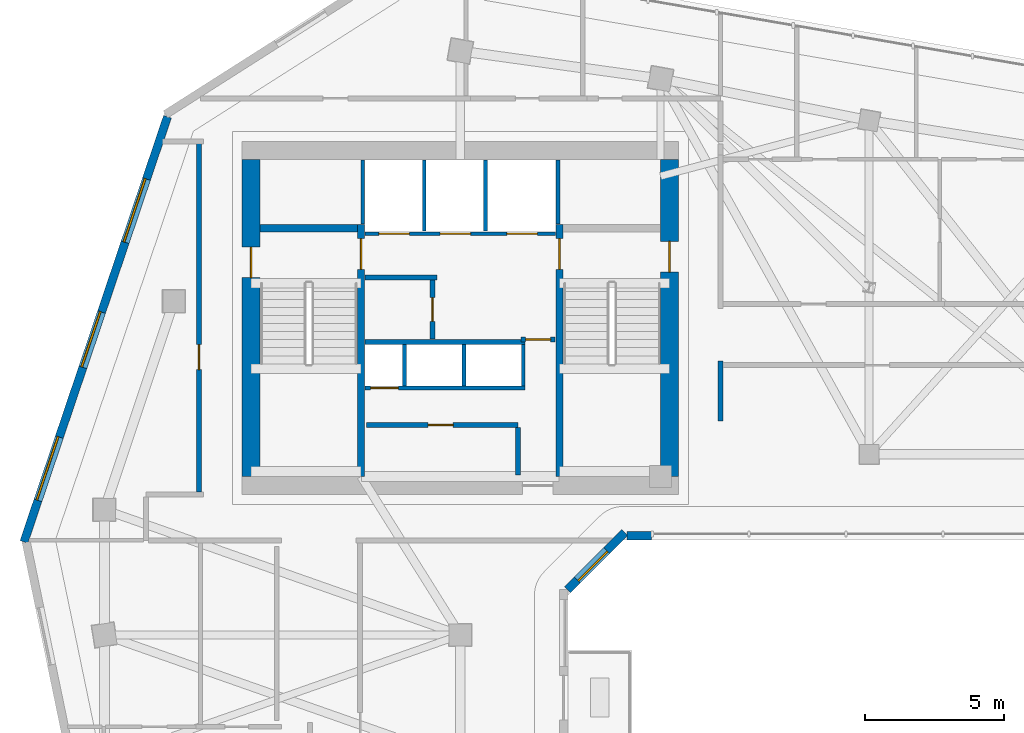
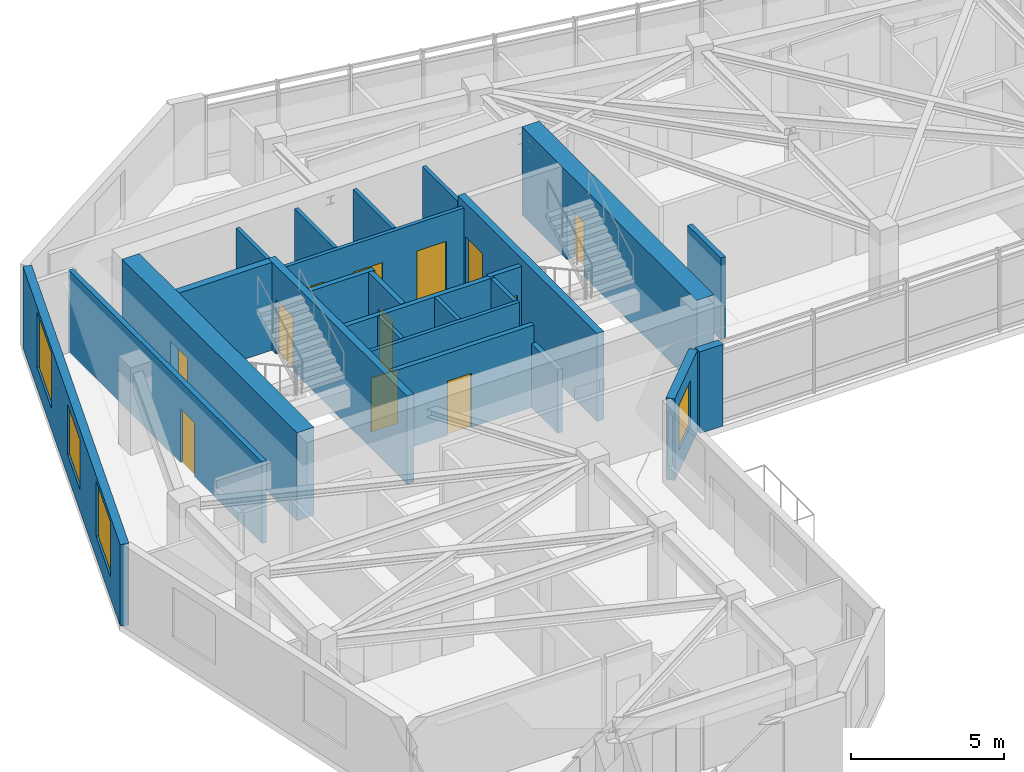
# One storey, part 5 of 10: 25 walls, 12 doors, 4 windows, 16 openings.
"""IFC4 building model written with IfcOpenShell, lengths in metres."""

from ifc_helpers import new_model, si_unit, direction, frame, frame_2d, origin, place, context, subcontext, project, spatial, rectangle, extrude, source, transform, mapped, material, layer, layer_set, type_object, element, fill, save


model = new_model("IFC4")

# Units and contexts
model_context = context("Model", 3, precision=1e-05, world=origin(), true_north=direction((0.0, 1.0)))
body_context = subcontext(model_context, "Body", "Model", "MODEL_VIEW")
ifc_project = project(units=[si_unit("LENGTHUNIT", "METRE"), si_unit("AREAUNIT", "SQUARE_METRE"), si_unit("VOLUMEUNIT", "CUBIC_METRE"), si_unit("PLANEANGLEUNIT", "RADIAN"), si_unit("MASSUNIT", "GRAM", prefix="KILO")], contexts=[model_context])

# Site, building, storey
site_placement = place(None, origin())
site = spatial("IfcSite", under=ifc_project, at=site_placement, CompositionType="ELEMENT")
building_placement = place(site_placement, origin())
building = spatial("IfcBuilding", under=site, at=building_placement, Name="Calvemar Wedge Station Tower", CompositionType="ELEMENT")
storey_placement = place(building_placement, frame((0.0, 0.0, 200.89990234375)))
storey = spatial("IfcBuildingStorey", under=building, at=storey_placement, Name="L50", CompositionType="ELEMENT", Elevation=200.89990234375)

# Wall, opening, door
ifc_material_1 = material(Name="Concrete C50", Category="concrete")
ifc_layer_1 = layer(ifc_material_1, 0.260009765625)
ifc_layer_set_1 = layer_set([ifc_layer_1], Name="Concrete C50")
wall_type_1 = type_object("IfcWallType", Name="SW-CORE-260", PredefinedType="SHEAR", material=ifc_layer_set_1)
wall_1_placement = place(storey_placement, frame((20.22998046875, 34.199951171875, 0.0), z_axis=(0.0, 0.0, 1.0), x_axis=(0.0, 1.0, 0.0)))
wall_1 = element("IfcWall", 1, at=wall_1_placement, inside=storey, type_object=wall_type_1, Name="Storey L50 Core Shear Wall SPINE-W", PredefinedType="SHEAR", context=body_context, shape_type="SweptSolid", body=[
    extrude(rectangle(XDim=9.06005859375, YDim=0.260009765625, at=frame_2d((4.530029296875, 0.0))), origin(), (0.0, 0.0, 1.0), 3.5),
])
shared_shape_1 = source(origin(), body_context, "Body", "SweptSolid", [
    extrude(rectangle(XDim=1.10009765625, YDim=2.14990234375, at=frame_2d((0.550048828125, 1.074951171875))), frame((0.0, 0.14013671875, 0.0), z_axis=(0.0, -1.0, 0.0), x_axis=(1.0, 0.0, 0.0)), (0.0, 0.0, 1.0), 0.280029296875),
])
opening_1_placement = place(wall_1_placement, frame((7.449951171875, 0.0, 0.0)))
opening_1 = element("IfcOpeningElement", 2, at=opening_1_placement, cuts=wall_1, Name="Opening FD-90", PredefinedType="OPENING", context=body_context, shape_type="MappedRepresentation", body=[
    mapped(shared_shape_1, transform((0.0, 0.0, 0.0), scale=1.0)),
])
ifc_material_2 = material(Name="Galvanized fire-rated steel door leaf P-90", Category="steel")
door_type_1 = type_object("IfcDoorType", Name="DR-FD90-1100", OperationType="NOTDEFINED", PredefinedType="DOOR", material=ifc_material_2)
shared_shape_2 = source(origin(), body_context, "Body", "SweptSolid", [
    extrude(rectangle(XDim=1.10009765625, YDim=2.14990234375, at=frame_2d((0.550048828125, 1.074951171875))), frame((0.0, 0.02490234375, 0.0), z_axis=(0.0, -1.0, 0.0), x_axis=(1.0, 0.0, 0.0)), (0.0, 0.0, 1.0), 0.050048828125),
])
door_1_placement = place(opening_1_placement, origin())
door_1 = element("IfcDoor", 3, at=door_1_placement, inside=storey, type_object=door_type_1, Name="L50 FF Lobby to Stair ST-C1 Door", OperationType="SINGLE_SWING_LEFT", OverallHeight=2.14990234375, OverallWidth=1.10009765625, PredefinedType="DOOR", context=body_context, shape_type="MappedRepresentation", body=[
    mapped(shared_shape_2, transform((0.0, 0.0, 0.0), scale=1.0)),
])
fill(opening_1, door_1)

wall_2_placement = place(storey_placement, frame((27.3701171875, 34.199951171875, 0.0), z_axis=(0.0, 0.0, 1.0), x_axis=(0.0, 1.0, 0.0)))
wall_2 = element("IfcWall", 4, at=wall_2_placement, inside=storey, type_object=wall_type_1, Name="Storey L50 Core Shear Wall SPINE-E", PredefinedType="SHEAR", context=body_context, shape_type="SweptSolid", body=[
    extrude(rectangle(XDim=9.06005859375, YDim=0.260009765625, at=frame_2d((4.530029296875, 0.0))), origin(), (0.0, 0.0, 1.0), 3.5),
])
opening_2_placement = place(wall_2_placement, frame((7.449951171875, 0.0, 0.0)))
opening_2 = element("IfcOpeningElement", 5, at=opening_2_placement, cuts=wall_2, Name="Opening FD-90", PredefinedType="OPENING", context=body_context, shape_type="MappedRepresentation", body=[
    mapped(shared_shape_1, transform((0.0, 0.0, 0.0), scale=1.0)),
])
door_2_placement = place(opening_2_placement, origin())
door_2 = element("IfcDoor", 6, at=door_2_placement, inside=storey, type_object=door_type_1, Name="L50 FF Lobby to Stair ST-C2 Door", OperationType="SINGLE_SWING_RIGHT", OverallHeight=2.14990234375, OverallWidth=1.10009765625, PredefinedType="DOOR", context=body_context, shape_type="MappedRepresentation", body=[
    mapped(shared_shape_2, transform((0.0, 0.0, 0.0), scale=1.0)),
])
fill(opening_2, door_2)

# Wall
wall_3_placement = place(storey_placement, frame((16.60009765625, 43.1298828125, 0.0), z_axis=(0.0, 0.0, 1.0), x_axis=(1.0, 0.0, 0.0)))
element("IfcWall", 7, at=wall_3_placement, inside=storey, type_object=wall_type_1, Name="Storey L50 Core Shear Wall STC1-N", PredefinedType="SHEAR", context=body_context, shape_type="SweptSolid", body=[
    extrude(rectangle(XDim=3.5, YDim=0.260009765625, at=frame_2d((1.75, 0.0))), origin(), (0.0, 0.0, 1.0), 3.5),
])

# Wall, opening, door
ifc_material_3 = material(Name="Concrete C60", Category="concrete")
ifc_layer_2 = layer(ifc_material_3, 0.64990234375)
ifc_layer_set_2 = layer_set([ifc_layer_2], Name="Concrete C60")
wall_type_2 = type_object("IfcWallType", Name="SW-CORE-650", PredefinedType="SHEAR", material=ifc_layer_set_2)
wall_4_placement = place(storey_placement, frame((16.27490234375, 34.199951171875, 0.0), z_axis=(0.0, 0.0, 1.0), x_axis=(0.0, 1.0, 0.0)))
wall_4 = element("IfcWall", 8, at=wall_4_placement, inside=storey, type_object=wall_type_2, Name="Storey L50 Core Shear Wall W", PredefinedType="SHEAR", context=body_context, shape_type="SweptSolid", body=[
    extrude(rectangle(XDim=11.400146484375, YDim=0.64990234375, at=frame_2d((5.7001953125, 0.0))), origin(), (0.0, 0.0, 1.0), 3.5),
])
shared_shape_3 = source(origin(), body_context, "Body", "SweptSolid", [
    extrude(rectangle(XDim=1.10009765625, YDim=2.14990234375, at=frame_2d((0.550048828125, 1.074951171875))), frame((0.0, 0.3349609375, 0.0), z_axis=(0.0, -1.0, 0.0), x_axis=(1.0, 0.0, 0.0)), (0.0, 0.0, 1.0), 0.669921875),
])
opening_3_placement = place(wall_4_placement, frame((7.14990234375, 0.0, 0.0)))
opening_3 = element("IfcOpeningElement", 9, at=opening_3_placement, cuts=wall_4, Name="Opening FD-90", PredefinedType="OPENING", context=body_context, shape_type="MappedRepresentation", body=[
    mapped(shared_shape_3, transform((0.0, 0.0, 0.0), scale=1.0)),
])
door_3_placement = place(opening_3_placement, origin())
door_3 = element("IfcDoor", 10, at=door_3_placement, inside=storey, type_object=door_type_1, Name="L50 West Corridor to Exit Stair ST-C1 Door", OperationType="SINGLE_SWING_LEFT", OverallHeight=2.14990234375, OverallWidth=1.10009765625, PredefinedType="DOOR", context=body_context, shape_type="MappedRepresentation", body=[
    mapped(shared_shape_2, transform((0.0, 0.0, 0.0), scale=1.0)),
])
fill(opening_3, door_3)

wall_5_placement = place(storey_placement, frame((31.324951171875, 34.199951171875, 0.0), z_axis=(0.0, 0.0, 1.0), x_axis=(0.0, 1.0, 0.0)))
wall_5 = element("IfcWall", 11, at=wall_5_placement, inside=storey, type_object=wall_type_2, Name="Storey L50 Core Shear Wall E", PredefinedType="SHEAR", context=body_context, shape_type="SweptSolid", body=[
    extrude(rectangle(XDim=11.400146484375, YDim=0.64990234375, at=frame_2d((5.7001953125, 0.0))), origin(), (0.0, 0.0, 1.0), 3.5),
])
opening_4_placement = place(wall_5_placement, frame((7.35009765625, 0.0, 0.0)))
opening_4 = element("IfcOpeningElement", 12, at=opening_4_placement, cuts=wall_5, Name="Opening FD-90", PredefinedType="OPENING", context=body_context, shape_type="MappedRepresentation", body=[
    mapped(shared_shape_3, transform((0.0, 0.0, 0.0), scale=1.0)),
])
door_4_placement = place(opening_4_placement, origin())
door_4 = element("IfcDoor", 13, at=door_4_placement, inside=storey, type_object=door_type_1, Name="L50 East Corridor to Exit Stair ST-C2 Door", OperationType="SINGLE_SWING_RIGHT", OverallHeight=2.14990234375, OverallWidth=1.10009765625, PredefinedType="DOOR", context=body_context, shape_type="MappedRepresentation", body=[
    mapped(shared_shape_2, transform((0.0, 0.0, 0.0), scale=1.0)),
])
fill(opening_4, door_4)

# Wall
ifc_material_4 = material(Name="Double-stud fire-rated corridor partition")
ifc_layer_3 = layer(ifc_material_4, 0.179931640625)
ifc_layer_set_3 = layer_set([ifc_layer_3], Name="Double-stud fire-rated corridor partition")
wall_type_3 = type_object("IfcWallType", Name="W-CORR-180", PredefinedType="PARTITIONING", material=ifc_layer_set_3)
wall_6_placement = place(storey_placement, frame((22.9599609375, 41.35009765625, 0.0), z_axis=(0.0, 0.0, 1.0), x_axis=(-1.0, 0.0, 0.0)))
element("IfcWall", 14, at=wall_6_placement, inside=storey, type_object=wall_type_3, Name="Storey L50 Interior Partition WL-L50-001", PredefinedType="PARTITIONING", context=body_context, shape_type="SweptSolid", body=[
    extrude(rectangle(XDim=2.580078125, YDim=0.179931640625, at=frame_2d((1.2900390625, 0.0))), origin(), (0.0, 0.0, 1.0), 3.25),
])

# Wall, opening, door
wall_7_placement = place(storey_placement, frame((22.800048828125, 41.256103515625, 0.0), z_axis=(0.0, 0.0, 1.0), x_axis=(0.0, -1.0, 0.0)))
wall_7 = element("IfcWall", 15, at=wall_7_placement, inside=storey, type_object=wall_type_3, Name="Storey L50 Interior Partition WL-L50-002", PredefinedType="PARTITIONING", context=body_context, shape_type="SweptSolid", body=[
    extrude(rectangle(XDim=2.106201171875, YDim=0.179931640625, at=frame_2d((1.05322265625, 0.0))), origin(), (0.0, 0.0, 1.0), 3.25),
])
shared_shape_4 = source(origin(), body_context, "Body", "SweptSolid", [
    extrude(rectangle(XDim=0.85009765625, YDim=2.14990234375, at=frame_2d((0.425048828125, 1.074951171875))), frame((0.0, 0.10009765625, 0.0), z_axis=(0.0, -1.0, 0.0), x_axis=(1.0, 0.0, 0.0)), (0.0, 0.0, 1.0), 0.199951171875),
])
opening_5_placement = place(wall_7_placement, frame((0.6279296875, 0.0, 0.0)))
opening_5 = element("IfcOpeningElement", 16, at=opening_5_placement, cuts=wall_7, Name="Opening FD-60S", PredefinedType="OPENING", context=body_context, shape_type="MappedRepresentation", body=[
    mapped(shared_shape_4, transform((0.0, 0.0, 0.0), scale=1.0)),
])
ifc_material_5 = material(Name="Fire-rated steel and hardwood service door EI 60", Category="steel")
door_type_2 = type_object("IfcDoorType", Name="DR-CORE-FD60-850", OperationType="NOTDEFINED", PredefinedType="DOOR", material=ifc_material_5)
shared_shape_5 = source(origin(), body_context, "Body", "SweptSolid", [
    extrude(rectangle(XDim=0.85009765625, YDim=2.14990234375, at=frame_2d((0.425048828125, 1.074951171875))), frame((0.0, 0.02490234375, 0.0), z_axis=(0.0, -1.0, 0.0), x_axis=(1.0, 0.0, 0.0)), (0.0, 0.0, 1.0), 0.050048828125),
])
door_5_placement = place(opening_5_placement, origin())
door_5 = element("IfcDoor", 17, at=door_5_placement, inside=storey, type_object=door_type_2, Name="L50 Core Electrical Switch Room Door", OperationType="SINGLE_SWING_RIGHT", OverallHeight=2.14990234375, OverallWidth=0.85009765625, PredefinedType="DOOR", context=body_context, shape_type="MappedRepresentation", body=[
    mapped(shared_shape_5, transform((0.0, 0.0, 0.0), scale=1.0)),
])
fill(opening_5, door_5)

wall_8_placement = place(storey_placement, frame((27.199951171875, 39.1298828125, 0.0), z_axis=(0.0, 0.0, 1.0), x_axis=(-1.0, 0.0, 0.0)))
wall_8 = element("IfcWall", 18, at=wall_8_placement, inside=storey, type_object=wall_type_3, Name="Storey L50 Interior Partition WL-L50-003", PredefinedType="PARTITIONING", context=body_context, shape_type="SweptSolid", body=[
    extrude(rectangle(XDim=1.2099609375, YDim=0.179931640625, at=frame_2d((0.60498046875, 0.0))), origin(), (0.0, 0.0, 1.0), 3.25),
])
shared_shape_6 = source(origin(), body_context, "Body", "SweptSolid", [
    extrude(rectangle(XDim=0.89990234375, YDim=2.14990234375, at=frame_2d((0.449951171875, 1.074951171875))), frame((0.0, 0.10009765625, 0.0), z_axis=(0.0, -1.0, 0.0), x_axis=(1.0, 0.0, 0.0)), (0.0, 0.0, 1.0), 0.199951171875),
])
opening_6_placement = place(wall_8_placement, frame((0.155029296875, 0.0, 0.0)))
opening_6 = element("IfcOpeningElement", 19, at=opening_6_placement, cuts=wall_8, Name="Opening FD-60", PredefinedType="OPENING", context=body_context, shape_type="MappedRepresentation", body=[
    mapped(shared_shape_6, transform((0.0, 0.0, 0.0), scale=1.0)),
])
ifc_material_6 = material(Name="Fire-rated acoustic timber-core entrance door EI 60", Category="wood")
door_type_3 = type_object("IfcDoorType", Name="DR-FD60-900", OperationType="NOTDEFINED", PredefinedType="DOOR", material=ifc_material_6)
shared_shape_7 = source(origin(), body_context, "Body", "SweptSolid", [
    extrude(rectangle(XDim=0.89990234375, YDim=2.14990234375, at=frame_2d((0.449951171875, 1.074951171875))), frame((0.0, 0.02490234375, 0.0), z_axis=(0.0, -1.0, 0.0), x_axis=(1.0, 0.0, 0.0)), (0.0, 0.0, 1.0), 0.050048828125),
])
door_6_placement = place(opening_6_placement, origin())
door_6 = element("IfcDoor", 20, at=door_6_placement, inside=storey, type_object=door_type_3, Name="L50 Core Service Lobby Door", OperationType="SINGLE_SWING_LEFT", OverallHeight=2.14990234375, OverallWidth=0.89990234375, PredefinedType="DOOR", context=body_context, shape_type="MappedRepresentation", body=[
    mapped(shared_shape_7, transform((0.0, 0.0, 0.0), scale=1.0)),
])
fill(opening_6, door_6)

wall_9_placement = place(storey_placement, frame((20.419921875, 36.050048828125, 0.0), z_axis=(0.0, 0.0, 1.0), x_axis=(1.0, 0.0, 0.0)))
wall_9 = element("IfcWall", 21, at=wall_9_placement, inside=storey, type_object=wall_type_3, Name="Storey L50 Interior Partition WL-L50-004", PredefinedType="PARTITIONING", context=body_context, shape_type="SweptSolid", body=[
    extrude(rectangle(XDim=5.4599609375, YDim=0.179931640625, at=frame_2d((2.72998046875, 0.0))), origin(), (0.0, 0.0, 1.0), 3.25),
])
opening_7_placement = place(wall_9_placement, frame((2.219482421875, 0.0, 0.0)))
opening_7 = element("IfcOpeningElement", 22, at=opening_7_placement, cuts=wall_9, Name="Opening FD-60", PredefinedType="OPENING", context=body_context, shape_type="MappedRepresentation", body=[
    mapped(shared_shape_6, transform((0.0, 0.0, 0.0), scale=1.0)),
])
door_7_placement = place(opening_7_placement, origin())
door_7 = element("IfcDoor", 23, at=door_7_placement, inside=storey, type_object=door_type_3, Name="L50 Parcel and Resident Store Door", OperationType="SINGLE_SWING_RIGHT", OverallHeight=2.14990234375, OverallWidth=0.89990234375, PredefinedType="DOOR", context=body_context, shape_type="MappedRepresentation", body=[
    mapped(shared_shape_7, transform((0.0, 0.0, 0.0), scale=1.0)),
])
fill(opening_7, door_7)

# Wall
wall_10_placement = place(storey_placement, frame((25.8798828125, 35.9560546875, 0.0), z_axis=(0.0, 0.0, 1.0), x_axis=(0.0, -1.0, 0.0)))
element("IfcWall", 24, at=wall_10_placement, inside=storey, type_object=wall_type_3, Name="Storey L50 Interior Partition WL-L50-005", PredefinedType="PARTITIONING", context=body_context, shape_type="SweptSolid", body=[
    extrude(rectangle(XDim=1.7060546875, YDim=0.179931640625, at=frame_2d((0.85302734375, 0.0))), origin(), (0.0, 0.0, 1.0), 2.5419921875),
])

# Wall, opening, door
wall_11_placement = place(storey_placement, frame((14.39990234375, 33.64404296875, 0.0), z_axis=(0.0, 0.0, 1.0), x_axis=(0.0, 1.0, 0.0)))
wall_11 = element("IfcWall", 25, at=wall_11_placement, inside=storey, type_object=wall_type_3, Name="Storey L50 Interior Partition WL-L50-011", PredefinedType="PARTITIONING", context=body_context, shape_type="SweptSolid", body=[
    extrude(rectangle(XDim=12.60595703125, YDim=0.179931640625, at=frame_2d((6.302978515625, 0.0))), origin(), (0.0, 0.0, 1.0), 3.25),
])
opening_8_placement = place(wall_11_placement, frame((4.399169921875, 0.0, 0.0)))
opening_8 = element("IfcOpeningElement", 26, at=opening_8_placement, cuts=wall_11, Name="Opening D-01", PredefinedType="OPENING", context=body_context, shape_type="MappedRepresentation", body=[
    mapped(shared_shape_6, transform((0.0, 0.0, 0.0), scale=1.0)),
])
ifc_material_7 = material(Name="Architectural hardwood acoustic swing door", Category="wood")
door_type_4 = type_object("IfcDoorType", Name="DR-INT-900", OperationType="NOTDEFINED", PredefinedType="DOOR", material=ifc_material_7)
shared_shape_8 = source(origin(), body_context, "Body", "SweptSolid", [
    extrude(rectangle(XDim=0.89990234375, YDim=2.14990234375, at=frame_2d((0.449951171875, 1.074951171875))), frame((0.0, 0.02490234375, 0.0), z_axis=(0.0, -1.0, 0.0), x_axis=(1.0, 0.0, 0.0)), (0.0, 0.0, 1.0), 0.050048828125),
])
door_8_placement = place(opening_8_placement, origin())
door_8 = element("IfcDoor", 27, at=door_8_placement, inside=storey, type_object=door_type_4, Name="L50 Resident Reading Lounge Door", OperationType="SINGLE_SWING_LEFT", OverallHeight=2.14990234375, OverallWidth=0.89990234375, PredefinedType="DOOR", context=body_context, shape_type="MappedRepresentation", body=[
    mapped(shared_shape_8, transform((0.0, 0.0, 0.0), scale=1.0)),
])
fill(opening_8, door_8)

# Wall
wall_12_placement = place(storey_placement, frame((33.14990234375, 38.360107421875, 0.0), z_axis=(0.0, 0.0, 1.0), x_axis=(0.0, -1.0, 0.0)))
element("IfcWall", 28, at=wall_12_placement, inside=storey, type_object=wall_type_3, Name="Storey L50 Interior Partition WL-L50-019", PredefinedType="PARTITIONING", context=body_context, shape_type="SweptSolid", body=[
    extrude(rectangle(XDim=2.16015625, YDim=0.179931640625, at=frame_2d((1.080078125, 0.0))), origin(), (0.0, 0.0, 1.0), 3.25),
])

# Wall, opening, window
ifc_material_8 = material(Name="Precast concrete C45", Category="concrete")
ifc_layer_4 = layer(ifc_material_8, 0.300048828125)
ifc_layer_set_4 = layer_set([ifc_layer_4], Name="Precast concrete C45")
wall_type_4 = type_object("IfcWallType", Name="W-EXT-GFRC-300", PredefinedType="SOLIDWALL", material=ifc_layer_set_4)
wall_13_placement = place(storey_placement, frame((27.652099609375, 30.1240234375, 0.0), z_axis=(0.0, 0.0, 1.0), x_axis=(0.707064797706, 0.707148762175, 0.0)))
wall_13 = element("IfcWall", 29, at=wall_13_placement, inside=storey, type_object=wall_type_4, Name="Storey L50 Bronze GFRC Exterior Wall 5", PredefinedType="SOLIDWALL", context=body_context, shape_type="SweptSolid", body=[
    extrude(rectangle(XDim=2.90771484375, YDim=0.300048828125, at=frame_2d((1.453857421875, 0.0))), origin(), (0.0, 0.0, 1.0), 3.25),
])
shared_shape_9 = source(origin(), body_context, "Body", "SweptSolid", [
    extrude(rectangle(XDim=1.5, YDim=1.800048828125, at=frame_2d((0.75, 0.89990234375))), frame((0.0, 0.16015625, 0.0), z_axis=(0.0, -1.0, 0.0), x_axis=(1.0, 0.0, 0.0)), (0.0, 0.0, 1.0), 0.320068359375),
])
opening_9_placement = place(wall_13_placement, frame((0.498046875, 0.0, 0.85009765625)))
opening_9 = element("IfcOpeningElement", 30, at=opening_9_placement, cuts=wall_13, Name="Opening W3", PredefinedType="OPENING", context=body_context, shape_type="MappedRepresentation", body=[
    mapped(shared_shape_9, transform((0.0, 0.0, 0.0), scale=1.0)),
])
ifc_material_9 = material(Name="Low-E laminated insulated glass", Category="glass")
window_type_1 = type_object("IfcWindowType", Name="WIN-EXT-3", PartitioningType="SINGLE_PANEL", PredefinedType="WINDOW", material=ifc_material_9)
shared_shape_10 = source(origin(), body_context, "Body", "SweptSolid", [
    extrude(rectangle(XDim=1.5, YDim=1.800048828125, at=frame_2d((0.75, 0.89990234375))), frame((0.0, -0.014892578125, 0.0), z_axis=(0.0, -1.0, 0.0), x_axis=(1.0, 0.0, 0.0)), (0.0, 0.0, 1.0), 0.06005859375),
])
window_1_placement = place(opening_9_placement, origin())
window_1 = element("IfcWindow", 31, at=window_1_placement, inside=storey, type_object=window_type_1, Name="Storey L50 Recessed Window 5.1", OverallHeight=1.800048828125, OverallWidth=1.5, PartitioningType="SINGLE_PANEL", PredefinedType="WINDOW", context=body_context, shape_type="MappedRepresentation", body=[
    mapped(shared_shape_10, transform((0.0, 0.0, 0.0), scale=1.0)),
])
fill(opening_9, window_1)

# Wall
wall_14_placement = place(storey_placement, frame((29.797119140625, 32.073974609375, 0.0), z_axis=(0.0, 0.0, 1.0), x_axis=(1.0, 0.0, 0.0)))
element("IfcWall", 32, at=wall_14_placement, inside=storey, type_object=wall_type_4, Name="Storey L50 Bronze GFRC Corner Pier 6A", PredefinedType="SOLIDWALL", context=body_context, shape_type="SweptSolid", body=[
    extrude(rectangle(XDim=0.88232421875, YDim=0.300048828125, at=frame_2d((0.441162109375, 0.0))), origin(), (0.0, 0.0, 1.0), 3.25),
])

# Wall, openings, windows
wall_15_placement = place(storey_placement, frame((13.2685546875, 47.1337890625, 0.0), z_axis=(0.0, 0.0, 1.0), x_axis=(-0.319920776449, -0.947444297464, 0.0)))
wall_15 = element("IfcWall", 33, at=wall_15_placement, inside=storey, type_object=wall_type_4, Name="Storey L50 Bronze GFRC Exterior Wall 12", PredefinedType="SOLIDWALL", context=body_context, shape_type="SweptSolid", body=[
    extrude(rectangle(XDim=16.13330078125, YDim=0.300048828125, at=frame_2d((8.066650390625, 0.0))), origin(), (0.0, 0.0, 1.0), 3.25),
])
shared_shape_11 = source(origin(), body_context, "Body", "SweptSolid", [
    extrude(rectangle(XDim=2.39990234375, YDim=2.199951171875, at=frame_2d((1.199951171875, 1.10009765625))), frame((0.0, 0.16015625, 0.0), z_axis=(0.0, -1.0, 0.0), x_axis=(1.0, 0.0, 0.0)), (0.0, 0.0, 1.0), 0.320068359375),
])
opening_10_placement = place(wall_15_placement, frame((2.363037109375, 0.0, 0.85009765625)))
opening_10 = element("IfcOpeningElement", 34, at=opening_10_placement, cuts=wall_15, Name="Opening W1", PredefinedType="OPENING", context=body_context, shape_type="MappedRepresentation", body=[
    mapped(shared_shape_11, transform((0.0, 0.0, 0.0), scale=1.0)),
])
shared_shape_12 = source(origin(), body_context, "Body", "SweptSolid", [
    extrude(rectangle(XDim=2.10009765625, YDim=2.0, at=frame_2d((1.050048828125, 1.0))), frame((0.0, 0.16015625, 0.0), z_axis=(0.0, -1.0, 0.0), x_axis=(1.0, 0.0, 0.0)), (0.0, 0.0, 1.0), 0.320068359375),
])
opening_11_placement = place(wall_15_placement, frame((7.409912109375, 0.0, 0.85009765625)))
opening_11 = element("IfcOpeningElement", 35, at=opening_11_placement, cuts=wall_15, Name="Opening W4", PredefinedType="OPENING", context=body_context, shape_type="MappedRepresentation", body=[
    mapped(shared_shape_12, transform((0.0, 0.0, 0.0), scale=1.0)),
])
opening_12_placement = place(wall_15_placement, frame((12.156982421875, 0.0, 0.85009765625)))
opening_12 = element("IfcOpeningElement", 36, at=opening_12_placement, cuts=wall_15, Name="Opening W1", PredefinedType="OPENING", context=body_context, shape_type="MappedRepresentation", body=[
    mapped(shared_shape_11, transform((0.0, 0.0, 0.0), scale=1.0)),
])
window_type_2 = type_object("IfcWindowType", Name="WIN-EXT-4", PartitioningType="SINGLE_PANEL", PredefinedType="WINDOW", material=ifc_material_9)
shared_shape_13 = source(origin(), body_context, "Body", "SweptSolid", [
    extrude(rectangle(XDim=2.10009765625, YDim=2.0, at=frame_2d((1.050048828125, 1.0))), frame((0.0, -0.014892578125, 0.0), z_axis=(0.0, -1.0, 0.0), x_axis=(1.0, 0.0, 0.0)), (0.0, 0.0, 1.0), 0.06005859375),
])
window_2_placement = place(opening_11_placement, origin())
window_2 = element("IfcWindow", 37, at=window_2_placement, inside=storey, type_object=window_type_2, Name="Storey L50 Recessed Window 12.2", OverallHeight=2.0, OverallWidth=2.10009765625, PartitioningType="SINGLE_PANEL", PredefinedType="WINDOW", context=body_context, shape_type="MappedRepresentation", body=[
    mapped(shared_shape_13, transform((0.0, 0.0, 0.0), scale=1.0)),
])
fill(opening_11, window_2)
window_type_3 = type_object("IfcWindowType", Name="WIN-EXT-1", PartitioningType="SINGLE_PANEL", PredefinedType="WINDOW", material=ifc_material_9)
shared_shape_14 = source(origin(), body_context, "Body", "SweptSolid", [
    extrude(rectangle(XDim=2.39990234375, YDim=2.199951171875, at=frame_2d((1.199951171875, 1.10009765625))), frame((0.0, -0.014892578125, 0.0), z_axis=(0.0, -1.0, 0.0), x_axis=(1.0, 0.0, 0.0)), (0.0, 0.0, 1.0), 0.06005859375),
])
window_3_placement = place(opening_10_placement, origin())
window_3 = element("IfcWindow", 38, at=window_3_placement, inside=storey, type_object=window_type_3, Name="Storey L50 Recessed Window 12.1", OverallHeight=2.199951171875, OverallWidth=2.39990234375, PartitioningType="SINGLE_PANEL", PredefinedType="WINDOW", context=body_context, shape_type="MappedRepresentation", body=[
    mapped(shared_shape_14, transform((0.0, 0.0, 0.0), scale=1.0)),
])
fill(opening_10, window_3)
window_4_placement = place(opening_12_placement, origin())
window_4 = element("IfcWindow", 39, at=window_4_placement, inside=storey, type_object=window_type_3, Name="Storey L50 Recessed Window 12.3", OverallHeight=2.199951171875, OverallWidth=2.39990234375, PartitioningType="SINGLE_PANEL", PredefinedType="WINDOW", context=body_context, shape_type="MappedRepresentation", body=[
    mapped(shared_shape_14, transform((0.0, 0.0, 0.0), scale=1.0)),
])
fill(opening_12, window_4)

# Wall, openings, doors
ifc_material_10 = material(Name="Reinforced concrete blockwork lift shaft wall", Category="masonry")
ifc_layer_5 = layer(ifc_material_10, 0.139892578125)
ifc_layer_set_5 = layer_set([ifc_layer_5], Name="Reinforced concrete blockwork lift shaft wall")
wall_type_5 = type_object("IfcWallType", Name="W-LIFT-160", PredefinedType="SOLIDWALL", material=ifc_layer_set_5)
wall_16_placement = place(storey_placement, frame((20.3701171875, 42.929931640625, 0.0), z_axis=(0.0, 0.0, 1.0), x_axis=(1.0, 0.0, 0.0)))
wall_16 = element("IfcWall", 40, at=wall_16_placement, inside=storey, type_object=wall_type_5, Name="Storey L50 Firefighting and Service Lift Shaft Front Wall", PredefinedType="SOLIDWALL", context=body_context, shape_type="SweptSolid", body=[
    extrude(rectangle(XDim=6.85986328125, YDim=0.139892578125, at=frame_2d((3.429931640625, 0.0))), origin(), (0.0, 0.0, 1.0), 3.25),
])
shared_shape_15 = source(origin(), body_context, "Body", "SweptSolid", [
    extrude(rectangle(XDim=1.10009765625, YDim=2.14990234375, at=frame_2d((0.550048828125, 1.074951171875))), frame((0.0, 0.080078125, 0.0), z_axis=(0.0, -1.0, 0.0), x_axis=(1.0, 0.0, 0.0)), (0.0, 0.0, 1.0), 0.159912109375),
])
opening_13_placement = place(wall_16_placement, frame((0.5, 0.0, 0.0)))
opening_13 = element("IfcOpeningElement", 41, at=opening_13_placement, cuts=wall_16, Name="Opening LD-FF", PredefinedType="OPENING", context=body_context, shape_type="MappedRepresentation", body=[
    mapped(shared_shape_15, transform((0.0, 0.0, 0.0), scale=1.0)),
])
opening_14_placement = place(wall_16_placement, frame((2.699951171875, 0.0, 0.0)))
opening_14 = element("IfcOpeningElement", 42, at=opening_14_placement, cuts=wall_16, Name="Opening LD-FF", PredefinedType="OPENING", context=body_context, shape_type="MappedRepresentation", body=[
    mapped(shared_shape_15, transform((0.0, 0.0, 0.0), scale=1.0)),
])
opening_15_placement = place(wall_16_placement, frame((5.10009765625, 0.0, 0.0)))
opening_15 = element("IfcOpeningElement", 43, at=opening_15_placement, cuts=wall_16, Name="Opening LD-STN", PredefinedType="OPENING", context=body_context, shape_type="MappedRepresentation", body=[
    mapped(shared_shape_15, transform((0.0, 0.0, 0.0), scale=1.0)),
])
ifc_material_11 = material(Name="Stainless steel firefighting lift sliding landing door", Category="steel")
door_type_5 = type_object("IfcDoorType", Name="DR-LD-FF-1100", OperationType="SLIDING_TO_LEFT", PredefinedType="DOOR", material=ifc_material_11)
shared_shape_16 = source(origin(), body_context, "Body", "SweptSolid", [
    extrude(rectangle(XDim=1.10009765625, YDim=2.14990234375, at=frame_2d((0.550048828125, 1.074951171875))), frame((0.0, 0.02490234375, 0.0), z_axis=(0.0, -1.0, 0.0), x_axis=(1.0, 0.0, 0.0)), (0.0, 0.0, 1.0), 0.050048828125),
])
door_9_placement = place(opening_13_placement, origin())
door_9 = element("IfcDoor", 44, at=door_9_placement, inside=storey, type_object=door_type_5, Name="L50 Lift FF-01 Sliding Landing Door", OperationType="SLIDING_TO_LEFT", OverallHeight=2.14990234375, OverallWidth=1.10009765625, PredefinedType="DOOR", context=body_context, shape_type="MappedRepresentation", body=[
    mapped(shared_shape_16, transform((0.0, 0.0, 0.0), scale=1.0)),
])
fill(opening_13, door_9)
door_10_placement = place(opening_14_placement, origin())
door_10 = element("IfcDoor", 45, at=door_10_placement, inside=storey, type_object=door_type_5, Name="L50 Lift FF-02 Sliding Landing Door", OperationType="SLIDING_TO_RIGHT", OverallHeight=2.14990234375, OverallWidth=1.10009765625, PredefinedType="DOOR", context=body_context, shape_type="MappedRepresentation", body=[
    mapped(shared_shape_16, transform((0.0, 0.0, 0.0), scale=1.0)),
])
fill(opening_14, door_10)
ifc_material_12 = material(Name="Stainless steel transit lift sliding landing door", Category="steel")
door_type_6 = type_object("IfcDoorType", Name="DR-LD-PAX-1100", OperationType="SLIDING_TO_LEFT", PredefinedType="DOOR", material=ifc_material_12)
shared_shape_17 = source(origin(), body_context, "Body", "SweptSolid", [
    extrude(rectangle(XDim=1.10009765625, YDim=2.14990234375, at=frame_2d((0.550048828125, 1.074951171875))), frame((0.0, 0.02490234375, 0.0), z_axis=(0.0, -1.0, 0.0), x_axis=(1.0, 0.0, 0.0)), (0.0, 0.0, 1.0), 0.050048828125),
])
door_11_placement = place(opening_15_placement, origin())
door_11 = element("IfcDoor", 46, at=door_11_placement, inside=storey, type_object=door_type_6, Name="L50 Lift SV-01 Sliding Landing Door", OperationType="SLIDING_TO_LEFT", OverallHeight=2.14990234375, OverallWidth=1.10009765625, PredefinedType="DOOR", context=body_context, shape_type="MappedRepresentation", body=[
    mapped(shared_shape_17, transform((0.0, 0.0, 0.0), scale=1.0)),
])
fill(opening_15, door_11)

# Walls
for number, where, z_axis, x_axis, name in (
    (47, (20.2900390625, 43.280029296875, 0.0), (0.0, 0.0, 1.0), (0.0, 1.0, 0.0), "Storey L50 Firefighting Lift Shaft Enclosure Wall W"),
    (48, (27.31005859375, 43.280029296875, 0.0), (0.0, 0.0, 1.0), (0.0, 1.0, 0.0), "Storey L50 Firefighting Lift Shaft Enclosure Wall E"),
):
    element("IfcWall", number, at=place(storey_placement, frame(where, z_axis=z_axis, x_axis=x_axis)), inside=storey, type_object=wall_type_5, Name=name, PredefinedType="SOLIDWALL", context=body_context, shape_type="SweptSolid", body=[
        extrude(rectangle(XDim=2.300048828125, YDim=0.139892578125, at=frame_2d((1.14990234375, 0.0))), origin(), (0.0, 0.0, 1.0), 3.25),
    ])
for number, where, z_axis, x_axis, name in (
    (49, (22.5, 43.02001953125, 0.0), (0.0, 0.0, 1.0), (0.0, 1.0, 0.0), "Storey L50 Firefighting Lift Shaft Enclosure Wall D1"),
    (50, (24.699951171875, 43.02001953125, 0.0), (0.0, 0.0, 1.0), (0.0, 1.0, 0.0), "Storey L50 Firefighting Lift Shaft Enclosure Wall D2"),
):
    element("IfcWall", number, at=place(storey_placement, frame(where, z_axis=z_axis, x_axis=x_axis)), inside=storey, type_object=wall_type_5, Name=name, PredefinedType="SOLIDWALL", context=body_context, shape_type="SweptSolid", body=[
        extrude(rectangle(XDim=2.56005859375, YDim=0.139892578125, at=frame_2d((1.280029296875, 0.0))), origin(), (0.0, 0.0, 1.0), 3.25),
    ])

# Wall, opening, door
wall_17_placement = place(storey_placement, frame((20.3798828125, 37.3798828125, 0.0), z_axis=(0.0, 0.0, 1.0), x_axis=(1.0, 0.0, 0.0)))
wall_17 = element("IfcWall", 51, at=wall_17_placement, inside=storey, type_object=wall_type_5, Name="Storey L50 Upper Passenger Lift Bank Front Wall", PredefinedType="SOLIDWALL", context=body_context, shape_type="SweptSolid", body=[
    extrude(rectangle(XDim=5.75, YDim=0.139892578125, at=frame_2d((2.875, 0.0))), origin(), (0.0, 0.0, 1.0), 3.25),
])
shared_shape_18 = source(origin(), body_context, "Body", "SweptSolid", [
    extrude(rectangle(XDim=1.0, YDim=2.14990234375, at=frame_2d((0.5, 1.074951171875))), frame((0.0, 0.080078125, 0.0), z_axis=(0.0, -1.0, 0.0), x_axis=(1.0, 0.0, 0.0)), (0.0, 0.0, 1.0), 0.159912109375),
])
opening_16_placement = place(wall_17_placement, frame((0.18994140625, 0.0, 0.0)))
opening_16 = element("IfcOpeningElement", 52, at=opening_16_placement, cuts=wall_17, Name="Opening LD-PAX", PredefinedType="OPENING", context=body_context, shape_type="MappedRepresentation", body=[
    mapped(shared_shape_18, transform((0.0, 0.0, 0.0), scale=1.0)),
])
ifc_material_13 = material(Name="Anodised bronze passenger lift sliding landing door")
door_type_7 = type_object("IfcDoorType", Name="DR-LD-PAX-1000", OperationType="SLIDING_TO_LEFT", PredefinedType="DOOR", material=ifc_material_13)
shared_shape_19 = source(origin(), body_context, "Body", "SweptSolid", [
    extrude(rectangle(XDim=1.0, YDim=2.14990234375, at=frame_2d((0.5, 1.074951171875))), frame((0.0, 0.02490234375, 0.0), z_axis=(0.0, -1.0, 0.0), x_axis=(1.0, 0.0, 0.0)), (0.0, 0.0, 1.0), 0.050048828125),
])
door_12_placement = place(opening_16_placement, origin())
door_12 = element("IfcDoor", 53, at=door_12_placement, inside=storey, type_object=door_type_7, Name="L50 Lift RH-01 Sliding Landing Door", OperationType="SLIDING_TO_LEFT", OverallHeight=2.14990234375, OverallWidth=1.0, PredefinedType="DOOR", context=body_context, shape_type="MappedRepresentation", body=[
    mapped(shared_shape_19, transform((0.0, 0.0, 0.0), scale=1.0)),
])
fill(opening_16, door_12)

# Walls
for number, where, z_axis, x_axis, name in (
    (54, (26.06005859375, 37.4599609375, 0.0), (0.0, 0.0, 1.0), (0.0, 1.0, 0.0), "Storey L50 Upper Passenger Lift Shaft Wall E"),
    (55, (21.794921875, 37.4599609375, 0.0), (0.0, 0.0, 1.0), (0.0, 1.0, 0.0), "Storey L50 Upper Passenger Lift Shaft Wall D1"),
    (56, (23.93505859375, 37.4599609375, 0.0), (0.0, 0.0, 1.0), (0.0, 1.0, 0.0), "Storey L50 Upper Passenger Lift Shaft Wall D2"),
):
    element("IfcWall", number, at=place(storey_placement, frame(where, z_axis=z_axis, x_axis=x_axis)), inside=storey, type_object=wall_type_5, Name=name, PredefinedType="SOLIDWALL", context=body_context, shape_type="SweptSolid", body=[
        extrude(rectangle(XDim=1.47998046875, YDim=0.139892578125, at=frame_2d((0.739990234375, 0.0))), origin(), (0.0, 0.0, 1.0), 3.25),
    ])
ifc_material_14 = material(Name="Concrete blockwork and fireboard shaft wall", Category="masonry")
ifc_layer_6 = layer(ifc_material_14, 0.199951171875)
ifc_layer_set_6 = layer_set([ifc_layer_6], Name="Concrete blockwork and fireboard shaft wall")
wall_type_6 = type_object("IfcWallType", Name="W-SHAFT-200", PredefinedType="SOLIDWALL", material=ifc_layer_set_6)
wall_18_placement = place(storey_placement, frame((20.3798828125, 39.0400390625, 0.0), z_axis=(0.0, 0.0, 1.0), x_axis=(1.0, 0.0, 0.0)))
element("IfcWall", 57, at=wall_18_placement, inside=storey, type_object=wall_type_6, Name="Storey L50 Upper Passenger Lift Bank Rear Shaft Wall", PredefinedType="SOLIDWALL", context=body_context, shape_type="SweptSolid", body=[
    extrude(rectangle(XDim=5.75, YDim=0.179931640625, at=frame_2d((2.875, 0.0))), origin(), (0.0, 0.0, 1.0), 3.25),
])

save(model, "model.ifc")
